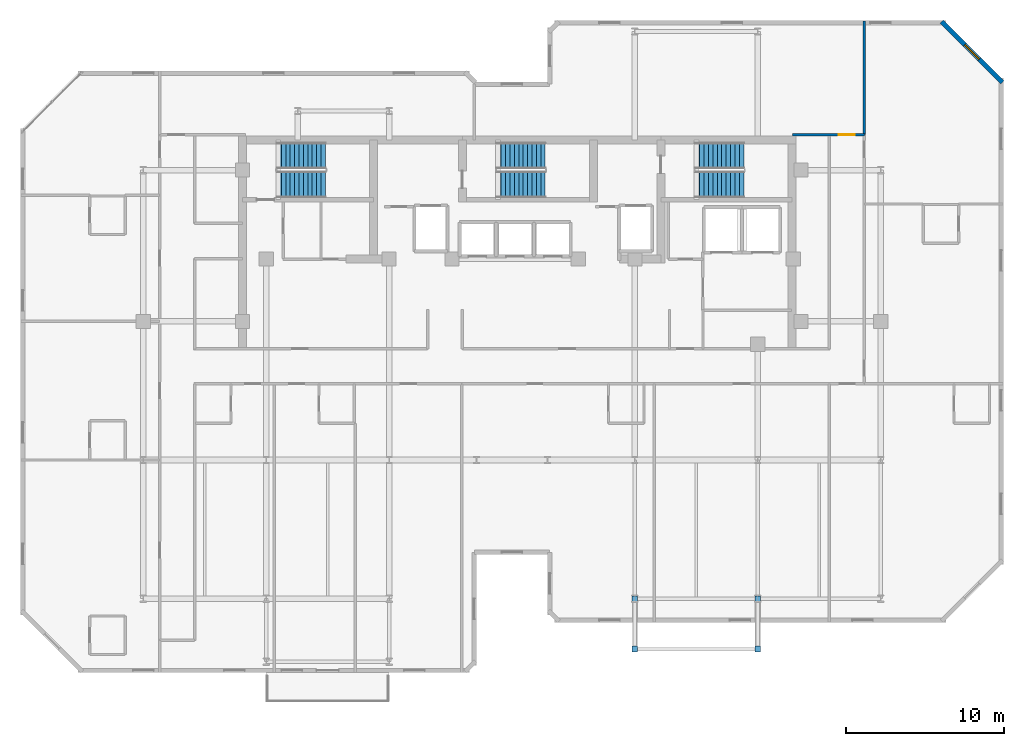
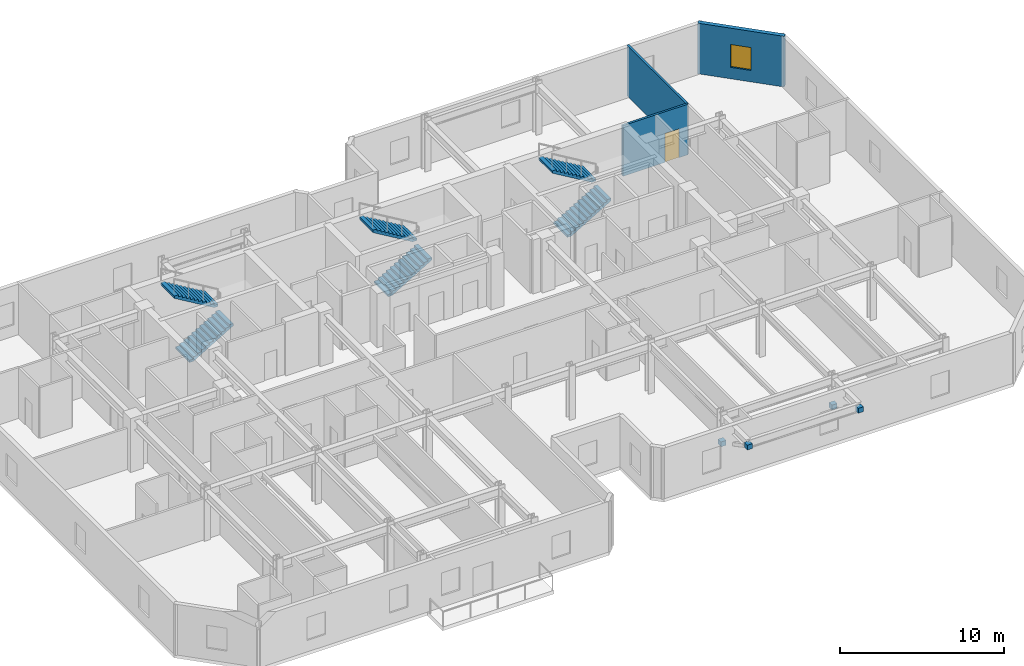
# One storey, part 8 of 10: 6 stair flights, 4 discrete accessories, 3 walls, 1 door, 1 window, 2 openings, 3 elements without a shape of their own.
"""IFC4 building model written with IfcOpenShell, lengths in metres."""

from ifc_helpers import new_model, si_unit, direction, frame, frame_2d, origin, origin_2d, place, context, subcontext, project, spatial, polyline, rectangle, outline, extrude, material, layer, layer_set, type_object, element, fill, aggregate, save


model = new_model("IFC4")

# Units and contexts
model_context = context("Model", 3, precision=1e-05, world=origin(), true_north=direction((0.0, 1.0)))
body_context = subcontext(model_context, "Body", "Model", "MODEL_VIEW")
ifc_project = project(units=[si_unit("LENGTHUNIT", "METRE"), si_unit("AREAUNIT", "SQUARE_METRE"), si_unit("VOLUMEUNIT", "CUBIC_METRE"), si_unit("PLANEANGLEUNIT", "RADIAN"), si_unit("MASSUNIT", "GRAM", prefix="KILO")], contexts=[model_context])

# Site, building, storey
site_placement = place(None, origin())
site = spatial("IfcSite", under=ifc_project, at=site_placement, CompositionType="ELEMENT")
building_placement = place(site_placement, origin())
building = spatial("IfcBuilding", under=site, at=building_placement, Name="Kestravale Grand Hotel", CompositionType="ELEMENT")
storey_placement = place(building_placement, frame((0.0, 0.0, 281.39990234375)))
storey = spatial("IfcBuildingStorey", under=building, at=storey_placement, Name="L70", CompositionType="ELEMENT", Elevation=281.39990234375)

# Wall, opening, window
ifc_material_1 = material(Name="Precast concrete f'c 45 MPa", Category="concrete")
ifc_layer_1 = layer(ifc_material_1, 0.280029296875)
ifc_layer_set_1 = layer_set([ifc_layer_1], Name="EW-PREC-280")
wall_type_1 = type_object("IfcWallType", Name="EW-PREC-280", PredefinedType="SOLIDWALL", material=ifc_layer_set_1)
wall_1_placement = place(storey_placement, frame((70.12939453125, 43.97265625, 0.0), z_axis=(0.0, 0.0, 1.0), x_axis=(-0.707106781187, 0.707106781187, 0.0)))
wall_1 = element("IfcWall", 1, at=wall_1_placement, inside=storey, type_object=wall_type_1, Name="L70 fluted precast facade wall 10", PredefinedType="SOLIDWALL", context=body_context, shape_type="SweptSolid", body=[
    extrude(rectangle(XDim=5.4541015625, YDim=0.280029296875, at=frame_2d((2.72705078125, 0.0))), origin(), (0.0, 0.0, 1.0), 3.760009765625),
])
opening_1_placement = place(wall_1_placement, frame((2.076904296875, 0.0, 0.85009765625)))
opening_1 = element("IfcOpeningElement", 2, at=opening_1_placement, cuts=wall_1, Name="Opening W-GUEST-1300", PredefinedType="OPENING", context=body_context, shape_type="SweptSolid", body=[
    extrude(rectangle(XDim=1.300048828125, YDim=1.699951171875, at=frame_2d((0.64990234375, 0.85009765625))), frame((0.0, 0.14990234375, 0.0), z_axis=(0.0, -1.0, 0.0), x_axis=(1.0, 0.0, 0.0)), (0.0, 0.0, 1.0), 0.300048828125),
])
ifc_material_2 = material(Name="Insulated low-E double glazing in aluminium frame", Category="aluminium")
window_type = type_object("IfcWindowType", Name="W-GUEST-1300", PartitioningType="SINGLE_PANEL", PredefinedType="WINDOW", material=ifc_material_2)
window_placement = place(opening_1_placement, origin())
window = element("IfcWindow", 3, at=window_placement, inside=storey, type_object=window_type, Name="L70 exterior window 10.1", OverallHeight=1.699951171875, OverallWidth=1.300048828125, PartitioningType="SINGLE_PANEL", PredefinedType="WINDOW", context=body_context, shape_type="SweptSolid", body=[
    extrude(rectangle(XDim=1.300048828125, YDim=1.699951171875, at=frame_2d((0.64990234375, 0.85009765625))), frame((0.0, 0.030029296875, 0.0), z_axis=(0.0, -1.0, 0.0), x_axis=(1.0, 0.0, 0.0)), (0.0, 0.0, 1.0), 0.06005859375),
])
fill(opening_1, window)

# Wall, opening, door
ifc_material_3 = material(Name="Double-stud STC 52 acoustic demising partition", Category="other")
ifc_layer_2 = layer(ifc_material_3, 0.14990234375)
ifc_layer_set_2 = layer_set([ifc_layer_2], Name="IW-UNIT-150")
wall_type_2 = type_object("IfcWallType", Name="IW-UNIT-150", PredefinedType="PARTITIONING", material=ifc_layer_set_2)
wall_2_placement = place(storey_placement, frame((56.800048828125, 40.64990234375, 0.0), z_axis=(0.0, 0.0, 1.0), x_axis=(1.0, 0.0, 0.0)))
wall_2 = element("IfcWall", 4, at=wall_2_placement, inside=storey, type_object=wall_type_2, Name="W-L70-SE-N", PredefinedType="PARTITIONING", context=body_context, shape_type="SweptSolid", body=[
    extrude(rectangle(XDim=4.56005859375, YDim=0.14990234375, at=frame_2d((2.280029296875, 0.0))), origin(), (0.0, 0.0, 1.0), 3.760009765625),
])
opening_2_placement = place(wall_2_placement, frame((2.949951171875, 0.0, 0.0)))
opening_2 = element("IfcOpeningElement", 5, at=opening_2_placement, cuts=wall_2, Name="Opening D-GUEST-1000", PredefinedType="OPENING", context=body_context, shape_type="SweptSolid", body=[
    extrude(rectangle(XDim=1.0, YDim=2.14990234375, at=frame_2d((0.5, 1.074951171875))), frame((0.0, 0.0849609375, 0.0), z_axis=(0.0, -1.0, 0.0), x_axis=(1.0, 0.0, 0.0)), (0.0, 0.0, 1.0), 0.169921875),
])
ifc_material_4 = material(Name="Accessible walnut veneer hotel entrance fire door", Category="wood")
door_type = type_object("IfcDoorType", Name="D-GUEST-1000", OperationType="NOTDEFINED", PredefinedType="DOOR", material=ifc_material_4)
door_placement = place(opening_2_placement, origin())
door = element("IfcDoor", 6, at=door_placement, inside=storey, type_object=door_type, Name="L70 NE Gallery Door", OperationType="SINGLE_SWING_LEFT", OverallHeight=2.14990234375, OverallWidth=1.0, PredefinedType="DOOR", context=body_context, shape_type="SweptSolid", body=[
    extrude(rectangle(XDim=1.0, YDim=2.14990234375, at=frame_2d((0.5, 1.074951171875))), frame((0.0, 0.02490234375, 0.0), z_axis=(0.0, -1.0, 0.0), x_axis=(1.0, 0.0, 0.0)), (0.0, 0.0, 1.0), 0.050048828125),
])
fill(opening_2, door)

# Wall
wall_3_placement = place(storey_placement, frame((61.360107421875, 40.64990234375, 0.0), z_axis=(0.0, 0.0, 1.0), x_axis=(0.0, 1.0, 0.0)))
element("IfcWall", 7, at=wall_3_placement, inside=storey, type_object=wall_type_2, Name="W-L70-NGE-E", PredefinedType="PARTITIONING", context=body_context, shape_type="SweptSolid", body=[
    extrude(rectangle(XDim=7.22998046875, YDim=0.14990234375, at=frame_2d((3.614990234375, 0.0))), origin(), (0.0, 0.0, 1.0), 3.760009765625),
])

# Stair, stair flights
ifc_material_5 = material(Name="Concrete f'c 45 MPa", Category="concrete")
stair_type = type_object("IfcStairType", Name="ST-CORE-400", PredefinedType="HALF_TURN_STAIR", material=ifc_material_5)
stair_1_placement = place(storey_placement, origin())
stair_1 = element("IfcStair", 8, at=stair_1_placement, inside=storey, type_object=stair_type, Name="L70 ST-1", PredefinedType="HALF_TURN_STAIR")
ifc_material_6 = material(Name="Concrete f'c 45 MPa", Category="concrete")
stair_flight_type = type_object("IfcStairFlightType", Name="STF-CORE-400", PredefinedType="STRAIGHT", material=ifc_material_6)
stair_flight_1_placement = place(storey_placement, frame((24.080078125, 37.489990234375, 0.0), z_axis=(0.0, 0.0, 1.0), x_axis=(1.0, 0.0, 0.0)))
stair_flight_1 = element("IfcStairFlight", 9, at=stair_flight_1_placement, type_object=stair_flight_type, Name="ST-1 flight 1", NumberOfRisers=12, NumberOfTreads=11, PredefinedType="STRAIGHT", RiserHeight=0.166666667, TreadLength=0.28, context=body_context, shape_type="SweptSolid", body=[
    extrude(outline(polyline([(0.0, 0.0), (0.0, 0.166748046875), (0.280029296875, 0.166748046875), (0.280029296875, 0.333251953125), (0.56005859375, 0.333251953125), (0.56005859375, 0.5), (0.840087890625, 0.5), (0.840087890625, 0.666748046875), (1.1201171875, 0.666748046875), (1.1201171875, 0.833251953125), (1.39990234375, 0.833251953125), (1.39990234375, 1.0), (1.679931640625, 1.0), (1.679931640625, 1.166748046875), (1.9599609375, 1.166748046875), (1.9599609375, 1.333251953125), (2.239990234375, 1.333251953125), (2.239990234375, 1.5), (2.52001953125, 1.5), (2.52001953125, 1.666748046875), (2.800048828125, 1.666748046875), (2.800048828125, 1.833251953125), (3.080078125, 1.833251953125), (3.080078125, 2.0), (3.080078125, 1.658935546875), (0.29296875, 0.0), (0.0, 0.0)])), frame((0.0, 0.83984375, 0.0), z_axis=(0.0, -1.0, 0.0), x_axis=(1.0, 0.0, 0.0)), (0.0, 0.0, 1.0), 1.679931640625),
])
stair_flight_2_placement = place(storey_placement, frame((27.159912109375, 39.320068359375, 2.0), z_axis=(0.0, 0.0, 1.0), x_axis=(-1.0, 0.0, 0.0)))
stair_flight_2 = element("IfcStairFlight", 10, at=stair_flight_2_placement, type_object=stair_flight_type, Name="ST-1 flight 2", NumberOfRisers=12, NumberOfTreads=11, PredefinedType="STRAIGHT", RiserHeight=0.166666667, TreadLength=0.28, context=body_context, shape_type="SweptSolid", body=[
    extrude(outline(polyline([(0.0, 0.0), (0.0, 0.166748046875), (0.280029296875, 0.166748046875), (0.280029296875, 0.333251953125), (0.56005859375, 0.333251953125), (0.56005859375, 0.5), (0.840087890625, 0.5), (0.840087890625, 0.666748046875), (1.1201171875, 0.666748046875), (1.1201171875, 0.833251953125), (1.39990234375, 0.833251953125), (1.39990234375, 1.0), (1.679931640625, 1.0), (1.679931640625, 1.166748046875), (1.9599609375, 1.166748046875), (1.9599609375, 1.333251953125), (2.239990234375, 1.333251953125), (2.239990234375, 1.5), (2.52001953125, 1.5), (2.52001953125, 1.666748046875), (2.800048828125, 1.666748046875), (2.800048828125, 1.833251953125), (3.080078125, 1.833251953125), (3.080078125, 2.0), (3.080078125, 1.658935546875), (0.29296875, 0.0), (0.0, 0.0)])), frame((0.0, 0.83984375, 0.0), z_axis=(0.0, -1.0, 0.0), x_axis=(1.0, 0.0, 0.0)), (0.0, 0.0, 1.0), 1.679931640625),
])
aggregate(stair_1, [stair_flight_1, stair_flight_2])

stair_2_placement = place(storey_placement, origin())
stair_2 = element("IfcStair", 11, at=stair_2_placement, inside=storey, type_object=stair_type, Name="L70 ST-2", PredefinedType="HALF_TURN_STAIR")
stair_flight_3_placement = place(storey_placement, frame((38.030029296875, 37.489990234375, 0.0), z_axis=(0.0, 0.0, 1.0), x_axis=(1.0, 0.0, 0.0)))
stair_flight_3 = element("IfcStairFlight", 12, at=stair_flight_3_placement, type_object=stair_flight_type, Name="ST-2 flight 1", NumberOfRisers=12, NumberOfTreads=11, PredefinedType="STRAIGHT", RiserHeight=0.166666667, TreadLength=0.28, context=body_context, shape_type="SweptSolid", body=[
    extrude(outline(polyline([(0.0, 0.0), (0.0, 0.166748046875), (0.280029296875, 0.166748046875), (0.280029296875, 0.333251953125), (0.56005859375, 0.333251953125), (0.56005859375, 0.5), (0.840087890625, 0.5), (0.840087890625, 0.666748046875), (1.1201171875, 0.666748046875), (1.1201171875, 0.833251953125), (1.39990234375, 0.833251953125), (1.39990234375, 1.0), (1.679931640625, 1.0), (1.679931640625, 1.166748046875), (1.9599609375, 1.166748046875), (1.9599609375, 1.333251953125), (2.239990234375, 1.333251953125), (2.239990234375, 1.5), (2.52001953125, 1.5), (2.52001953125, 1.666748046875), (2.800048828125, 1.666748046875), (2.800048828125, 1.833251953125), (3.080078125, 1.833251953125), (3.080078125, 2.0), (3.080078125, 1.658935546875), (0.29296875, 0.0), (0.0, 0.0)])), frame((0.0, 0.83984375, 0.0), z_axis=(0.0, -1.0, 0.0), x_axis=(1.0, 0.0, 0.0)), (0.0, 0.0, 1.0), 1.679931640625),
])
stair_flight_4_placement = place(storey_placement, frame((41.110107421875, 39.320068359375, 2.0), z_axis=(0.0, 0.0, 1.0), x_axis=(-1.0, 0.0, 0.0)))
stair_flight_4 = element("IfcStairFlight", 13, at=stair_flight_4_placement, type_object=stair_flight_type, Name="ST-2 flight 2", NumberOfRisers=12, NumberOfTreads=11, PredefinedType="STRAIGHT", RiserHeight=0.166666667, TreadLength=0.28, context=body_context, shape_type="SweptSolid", body=[
    extrude(outline(polyline([(0.0, 0.0), (0.0, 0.166748046875), (0.280029296875, 0.166748046875), (0.280029296875, 0.333251953125), (0.56005859375, 0.333251953125), (0.56005859375, 0.5), (0.840087890625, 0.5), (0.840087890625, 0.666748046875), (1.1201171875, 0.666748046875), (1.1201171875, 0.833251953125), (1.39990234375, 0.833251953125), (1.39990234375, 1.0), (1.679931640625, 1.0), (1.679931640625, 1.166748046875), (1.9599609375, 1.166748046875), (1.9599609375, 1.333251953125), (2.239990234375, 1.333251953125), (2.239990234375, 1.5), (2.52001953125, 1.5), (2.52001953125, 1.666748046875), (2.800048828125, 1.666748046875), (2.800048828125, 1.833251953125), (3.080078125, 1.833251953125), (3.080078125, 2.0), (3.080078125, 1.658935546875), (0.29296875, 0.0), (0.0, 0.0)])), frame((0.0, 0.83984375, 0.0), z_axis=(0.0, -1.0, 0.0), x_axis=(1.0, 0.0, 0.0)), (0.0, 0.0, 1.0), 1.679931640625),
])
aggregate(stair_2, [stair_flight_3, stair_flight_4])

stair_3_placement = place(storey_placement, origin())
stair_3 = element("IfcStair", 14, at=stair_3_placement, inside=storey, type_object=stair_type, Name="L70 ST-3", PredefinedType="HALF_TURN_STAIR")
stair_flight_5_placement = place(storey_placement, frame((50.6298828125, 37.489990234375, 0.0), z_axis=(0.0, 0.0, 1.0), x_axis=(1.0, 0.0, 0.0)))
stair_flight_5 = element("IfcStairFlight", 15, at=stair_flight_5_placement, type_object=stair_flight_type, Name="ST-3 flight 1", NumberOfRisers=12, NumberOfTreads=11, PredefinedType="STRAIGHT", RiserHeight=0.166666667, TreadLength=0.28, context=body_context, shape_type="SweptSolid", body=[
    extrude(outline(polyline([(0.0, 0.0), (0.0, 0.166748046875), (0.280029296875, 0.166748046875), (0.280029296875, 0.333251953125), (0.56005859375, 0.333251953125), (0.56005859375, 0.5), (0.840087890625, 0.5), (0.840087890625, 0.666748046875), (1.1201171875, 0.666748046875), (1.1201171875, 0.833251953125), (1.39990234375, 0.833251953125), (1.39990234375, 1.0), (1.679931640625, 1.0), (1.679931640625, 1.166748046875), (1.9599609375, 1.166748046875), (1.9599609375, 1.333251953125), (2.239990234375, 1.333251953125), (2.239990234375, 1.5), (2.52001953125, 1.5), (2.52001953125, 1.666748046875), (2.800048828125, 1.666748046875), (2.800048828125, 1.833251953125), (3.080078125, 1.833251953125), (3.080078125, 2.0), (3.080078125, 1.658935546875), (0.29296875, 0.0), (0.0, 0.0)])), frame((0.0, 0.83984375, 0.0), z_axis=(0.0, -1.0, 0.0), x_axis=(1.0, 0.0, 0.0)), (0.0, 0.0, 1.0), 1.679931640625),
])
stair_flight_6_placement = place(storey_placement, frame((53.7099609375, 39.320068359375, 2.0), z_axis=(0.0, 0.0, 1.0), x_axis=(-1.0, 0.0, 0.0)))
stair_flight_6 = element("IfcStairFlight", 16, at=stair_flight_6_placement, type_object=stair_flight_type, Name="ST-3 flight 2", NumberOfRisers=12, NumberOfTreads=11, PredefinedType="STRAIGHT", RiserHeight=0.166666667, TreadLength=0.28, context=body_context, shape_type="SweptSolid", body=[
    extrude(outline(polyline([(0.0, 0.0), (0.0, 0.166748046875), (0.280029296875, 0.166748046875), (0.280029296875, 0.333251953125), (0.56005859375, 0.333251953125), (0.56005859375, 0.5), (0.840087890625, 0.5), (0.840087890625, 0.666748046875), (1.1201171875, 0.666748046875), (1.1201171875, 0.833251953125), (1.39990234375, 0.833251953125), (1.39990234375, 1.0), (1.679931640625, 1.0), (1.679931640625, 1.166748046875), (1.9599609375, 1.166748046875), (1.9599609375, 1.333251953125), (2.239990234375, 1.333251953125), (2.239990234375, 1.5), (2.52001953125, 1.5), (2.52001953125, 1.666748046875), (2.800048828125, 1.666748046875), (2.800048828125, 1.833251953125), (3.080078125, 1.833251953125), (3.080078125, 2.0), (3.080078125, 1.658935546875), (0.29296875, 0.0), (0.0, 0.0)])), frame((0.0, 0.83984375, 0.0), z_axis=(0.0, -1.0, 0.0), x_axis=(1.0, 0.0, 0.0)), (0.0, 0.0, 1.0), 1.679931640625),
])
aggregate(stair_3, [stair_flight_5, stair_flight_6])

# Discrete accessories
ifc_material_7 = material(Name="Steel ASTM A572 Grade 50 hot-dip galvanised bracket", Category="steel")
discrete_accessory_type = type_object("IfcDiscreteAccessoryType", Name="ACC-BRK-STL", PredefinedType="BRACKET", material=ifc_material_7)
for number, where, z_axis, x_axis, name in (
    (17, (46.800048828125, 11.199951171875, 1.39404296875), (0.0, 0.0, 1.0), (1.0, 0.0, 0.0), "L71 terrace strut column bracket 1"),
    (18, (46.800048828125, 8.0, 3.09423828125), (0.0, 0.0, 1.0), (1.0, 0.0, 0.0), "L71 terrace strut beam bracket 1"),
    (19, (54.60009765625, 11.199951171875, 1.39404296875), (0.0, 0.0, 1.0), (1.0, 0.0, 0.0), "L71 terrace strut column bracket 2"),
    (20, (54.60009765625, 8.0, 3.09423828125), (0.0, 0.0, 1.0), (1.0, 0.0, 0.0), "L71 terrace strut beam bracket 2"),
):
    element("IfcDiscreteAccessory", number, at=place(storey_placement, frame(where, z_axis=z_axis, x_axis=x_axis)), inside=storey, type_object=discrete_accessory_type, Name=name, PredefinedType="BRACKET", context=body_context, shape_type="SweptSolid", body=[
        extrude(rectangle(XDim=0.360107421875, YDim=0.360107421875, at=origin_2d()), origin(), (0.0, 0.0, 1.0), 0.360107421875),
    ])

save(model, "model.ifc")
